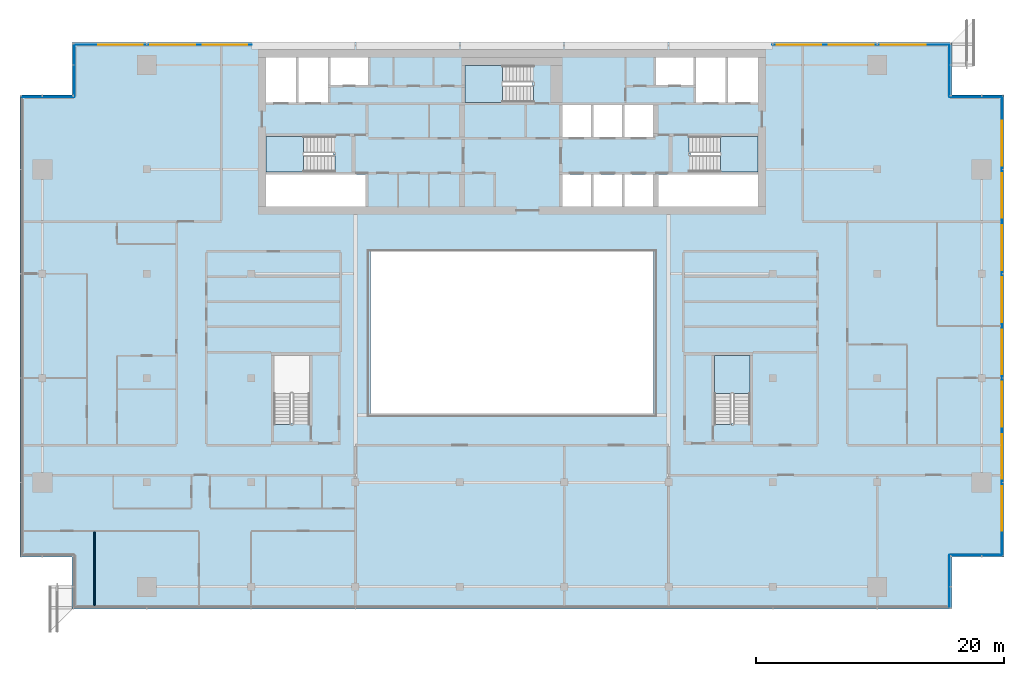
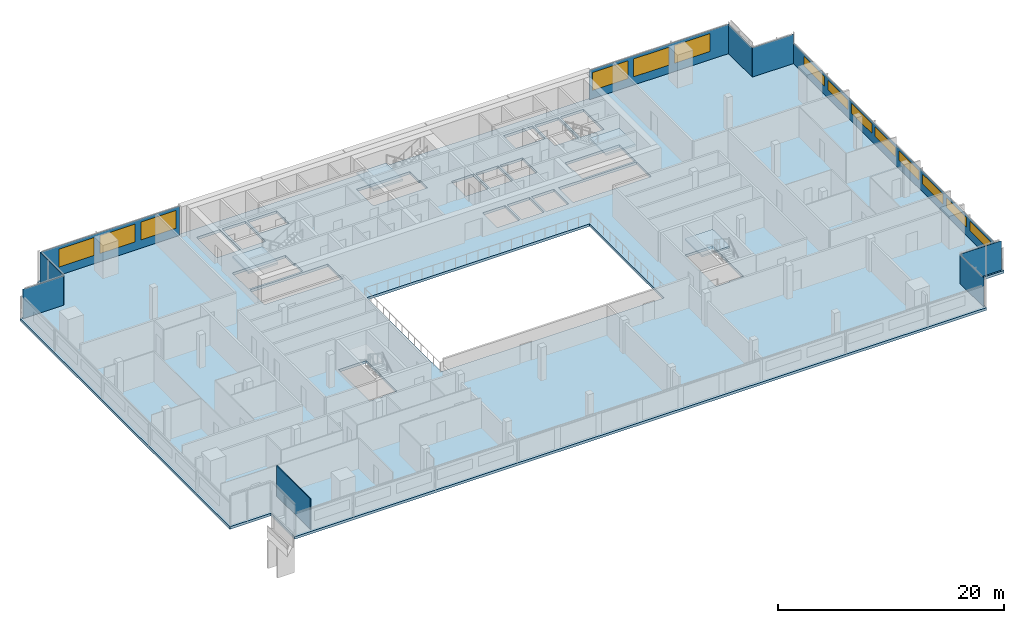
# One storey, part 16 of 25: 14 windows, 9 plates, 5 slabs, 1 wall, 14 openings, 12 elements without a shape of their own.
"""IFC4 building model written with IfcOpenShell, lengths in metres."""

from ifc_helpers import new_model, si_unit, direction, frame, frame_2d, origin, place, context, subcontext, project, spatial, polyline, rectangle, outline, extrude, material, layer, layer_set, type_object, element, fill, aggregate, save


model = new_model("IFC4")

# Units and contexts
model_context = context("Model", 3, precision=1e-05, world=origin(), true_north=direction((0.0, 1.0)))
body_context = subcontext(model_context, "Body", "Model", "MODEL_VIEW")
ifc_project = project(units=[si_unit("LENGTHUNIT", "METRE"), si_unit("AREAUNIT", "SQUARE_METRE"), si_unit("VOLUMEUNIT", "CUBIC_METRE"), si_unit("PLANEANGLEUNIT", "RADIAN"), si_unit("MASSUNIT", "GRAM", prefix="KILO")], contexts=[model_context])

# Site, building, storey
site_placement = place(None, origin())
site = spatial("IfcSite", under=ifc_project, at=site_placement, CompositionType="ELEMENT")
building_placement = place(site_placement, origin())
building = spatial("IfcBuilding", under=site, at=building_placement, Name="Saffron Gate Tower", CompositionType="ELEMENT")
storey_placement = place(building_placement, frame((0.0, 0.0, 248.699951171875)))
storey = spatial("IfcBuildingStorey", under=building, at=storey_placement, Name="L61", CompositionType="ELEMENT", Elevation=248.699951171875)

# Curtain wall, plate, openings, windows
ifc_material_1 = material(Name="Aluminium, bronze anodised", Category="aluminium")
curtain_wall_type_1 = type_object("IfcCurtainWallType", Name="CWS2 curtain wall side facades", PredefinedType="NOTDEFINED", material=ifc_material_1)
curtain_wall_1_placement = place(storey_placement, origin())
curtain_wall_1 = element("IfcCurtainWall", 1, at=curtain_wall_1_placement, inside=storey, type_object=curtain_wall_type_1, Name="CWS2 run 4", PredefinedType="NOTDEFINED")
ifc_material_2 = material(Name="Fritted bronze-tinted laminated glass", Category="glass")
ifc_layer_1 = layer(ifc_material_2, 0.028076171875)
ifc_layer_set_1 = layer_set([ifc_layer_1], Name="CWS2 fixed glass")
plate_type_1 = type_object("IfcPlateType", Name="CWS2 fixed glass", PredefinedType="CURTAIN_PANEL", material=ifc_layer_set_1)
plate_1_placement = place(storey_placement, frame((127.02587890625, 34.387939453125, 0.0), z_axis=(0.0, 0.0, 1.0), x_axis=(0.0, 1.0, 0.0)))
plate_1 = element("IfcPlate", 2, at=plate_1_placement, type_object=plate_type_1, Name="CWS2 glass panel", PredefinedType="CURTAIN_PANEL", context=body_context, shape_type="SweptSolid", body=[
    extrude(rectangle(XDim=36.823974609375, YDim=0.028076171875, at=frame_2d((18.412109375, 0.0))), origin(), (0.0, 0.0, 1.0), 2.2900390625),
])
opening_1_placement = place(plate_1_placement, frame((1.912109375, 0.0, 0.89990234375)))
opening_1 = element("IfcOpeningElement", 3, at=opening_1_placement, cuts=plate_1, Name="Opening W11", PredefinedType="OPENING", context=body_context, shape_type="SweptSolid", body=[
    extrude(rectangle(XDim=3.60009765625, YDim=1.0400390625, at=frame_2d((1.800048828125, 0.52001953125))), frame((0.0, 0.02392578125, 0.0), z_axis=(0.0, -1.0, 0.0), x_axis=(1.0, 0.0, 0.0)), (0.0, 0.0, 1.0), 0.048095703125),
])
opening_2_placement = place(plate_1_placement, frame((6.112060546875, 0.0, 0.89990234375)))
opening_2 = element("IfcOpeningElement", 4, at=opening_2_placement, cuts=plate_1, Name="Opening W11", PredefinedType="OPENING", context=body_context, shape_type="SweptSolid", body=[
    extrude(rectangle(XDim=3.60009765625, YDim=1.0400390625, at=frame_2d((1.800048828125, 0.52001953125))), frame((0.0, 0.02392578125, 0.0), z_axis=(0.0, -1.0, 0.0), x_axis=(1.0, 0.0, 0.0)), (0.0, 0.0, 1.0), 0.048095703125),
])
opening_3_placement = place(plate_1_placement, frame((10.31201171875, 0.0, 0.89990234375)))
opening_3 = element("IfcOpeningElement", 5, at=opening_3_placement, cuts=plate_1, Name="Opening W11", PredefinedType="OPENING", context=body_context, shape_type="SweptSolid", body=[
    extrude(rectangle(XDim=3.60009765625, YDim=1.0400390625, at=frame_2d((1.800048828125, 0.52001953125))), frame((0.0, 0.02392578125, 0.0), z_axis=(0.0, -1.0, 0.0), x_axis=(1.0, 0.0, 0.0)), (0.0, 0.0, 1.0), 0.048095703125),
])
opening_4_placement = place(plate_1_placement, frame((14.511962890625, 0.0, 0.89990234375)))
opening_4 = element("IfcOpeningElement", 6, at=opening_4_placement, cuts=plate_1, Name="Opening W11", PredefinedType="OPENING", context=body_context, shape_type="SweptSolid", body=[
    extrude(rectangle(XDim=3.60009765625, YDim=1.0400390625, at=frame_2d((1.800048828125, 0.52001953125))), frame((0.0, 0.02392578125, 0.0), z_axis=(0.0, -1.0, 0.0), x_axis=(1.0, 0.0, 0.0)), (0.0, 0.0, 1.0), 0.048095703125),
])
opening_5_placement = place(plate_1_placement, frame((18.7119140625, 0.0, 0.89990234375)))
opening_5 = element("IfcOpeningElement", 7, at=opening_5_placement, cuts=plate_1, Name="Opening W11", PredefinedType="OPENING", context=body_context, shape_type="SweptSolid", body=[
    extrude(rectangle(XDim=3.60009765625, YDim=1.0400390625, at=frame_2d((1.800048828125, 0.52001953125))), frame((0.0, 0.02392578125, 0.0), z_axis=(0.0, -1.0, 0.0), x_axis=(1.0, 0.0, 0.0)), (0.0, 0.0, 1.0), 0.048095703125),
])
opening_6_placement = place(plate_1_placement, frame((22.912109375, 0.0, 0.89990234375)))
opening_6 = element("IfcOpeningElement", 8, at=opening_6_placement, cuts=plate_1, Name="Opening W11", PredefinedType="OPENING", context=body_context, shape_type="SweptSolid", body=[
    extrude(rectangle(XDim=3.60009765625, YDim=1.0400390625, at=frame_2d((1.800048828125, 0.52001953125))), frame((0.0, 0.02392578125, 0.0), z_axis=(0.0, -1.0, 0.0), x_axis=(1.0, 0.0, 0.0)), (0.0, 0.0, 1.0), 0.048095703125),
])
opening_7_placement = place(plate_1_placement, frame((27.112060546875, 0.0, 0.89990234375)))
opening_7 = element("IfcOpeningElement", 9, at=opening_7_placement, cuts=plate_1, Name="Opening W11", PredefinedType="OPENING", context=body_context, shape_type="SweptSolid", body=[
    extrude(rectangle(XDim=3.60009765625, YDim=1.0400390625, at=frame_2d((1.800048828125, 0.52001953125))), frame((0.0, 0.02392578125, 0.0), z_axis=(0.0, -1.0, 0.0), x_axis=(1.0, 0.0, 0.0)), (0.0, 0.0, 1.0), 0.048095703125),
])
opening_8_placement = place(plate_1_placement, frame((31.31201171875, 0.0, 0.89990234375)))
opening_8 = element("IfcOpeningElement", 10, at=opening_8_placement, cuts=plate_1, Name="Opening W11", PredefinedType="OPENING", context=body_context, shape_type="SweptSolid", body=[
    extrude(rectangle(XDim=3.60009765625, YDim=1.0400390625, at=frame_2d((1.800048828125, 0.52001953125))), frame((0.0, 0.02392578125, 0.0), z_axis=(0.0, -1.0, 0.0), x_axis=(1.0, 0.0, 0.0)), (0.0, 0.0, 1.0), 0.048095703125),
])
ifc_material_3 = material(Name="Fritted bronze-tinted laminated glass in bronze frame", Category="glass")
ifc_layer_2 = layer(ifc_material_3, 0.06005859375)
ifc_layer_set_2 = layer_set([ifc_layer_2], Name="W11 operable panel 3600x1040")
window_type_1 = type_object("IfcWindowType", Name="W11 operable panel 3600x1040", PartitioningType="DOUBLE_PANEL_HORIZONTAL", PredefinedType="WINDOW", material=ifc_layer_set_2)
window_1_placement = place(opening_1_placement, origin())
window_1 = element("IfcWindow", 11, at=window_1_placement, type_object=window_type_1, Name="W11 operable panel", OverallHeight=1.0400390625, OverallWidth=3.60009765625, PartitioningType="SINGLE_PANEL", PredefinedType="WINDOW", context=body_context, shape_type="SweptSolid", body=[
    extrude(rectangle(XDim=3.60009765625, YDim=1.0400390625, at=frame_2d((1.800048828125, 0.52001953125))), frame((0.0, 0.013671875, 0.0), z_axis=(0.0, -1.0, 0.0), x_axis=(1.0, 0.0, 0.0)), (0.0, 0.0, 1.0), 0.027587890625),
])
fill(opening_1, window_1)
window_2_placement = place(opening_2_placement, origin())
window_2 = element("IfcWindow", 12, at=window_2_placement, type_object=window_type_1, Name="W11 operable panel", OverallHeight=1.0400390625, OverallWidth=3.60009765625, PartitioningType="SINGLE_PANEL", PredefinedType="WINDOW", context=body_context, shape_type="SweptSolid", body=[
    extrude(rectangle(XDim=3.60009765625, YDim=1.0400390625, at=frame_2d((1.800048828125, 0.52001953125))), frame((0.0, 0.013671875, 0.0), z_axis=(0.0, -1.0, 0.0), x_axis=(1.0, 0.0, 0.0)), (0.0, 0.0, 1.0), 0.027587890625),
])
fill(opening_2, window_2)
window_3_placement = place(opening_3_placement, origin())
window_3 = element("IfcWindow", 13, at=window_3_placement, type_object=window_type_1, Name="W11 operable panel", OverallHeight=1.0400390625, OverallWidth=3.60009765625, PartitioningType="SINGLE_PANEL", PredefinedType="WINDOW", context=body_context, shape_type="SweptSolid", body=[
    extrude(rectangle(XDim=3.60009765625, YDim=1.0400390625, at=frame_2d((1.800048828125, 0.52001953125))), frame((0.0, 0.013671875, 0.0), z_axis=(0.0, -1.0, 0.0), x_axis=(1.0, 0.0, 0.0)), (0.0, 0.0, 1.0), 0.027587890625),
])
fill(opening_3, window_3)
window_4_placement = place(opening_4_placement, origin())
window_4 = element("IfcWindow", 14, at=window_4_placement, type_object=window_type_1, Name="W11 operable panel", OverallHeight=1.0400390625, OverallWidth=3.60009765625, PartitioningType="SINGLE_PANEL", PredefinedType="WINDOW", context=body_context, shape_type="SweptSolid", body=[
    extrude(rectangle(XDim=3.60009765625, YDim=1.0400390625, at=frame_2d((1.800048828125, 0.52001953125))), frame((0.0, 0.013671875, 0.0), z_axis=(0.0, -1.0, 0.0), x_axis=(1.0, 0.0, 0.0)), (0.0, 0.0, 1.0), 0.027587890625),
])
fill(opening_4, window_4)
window_5_placement = place(opening_5_placement, origin())
window_5 = element("IfcWindow", 15, at=window_5_placement, type_object=window_type_1, Name="W11 operable panel", OverallHeight=1.0400390625, OverallWidth=3.60009765625, PartitioningType="SINGLE_PANEL", PredefinedType="WINDOW", context=body_context, shape_type="SweptSolid", body=[
    extrude(rectangle(XDim=3.60009765625, YDim=1.0400390625, at=frame_2d((1.800048828125, 0.52001953125))), frame((0.0, 0.013671875, 0.0), z_axis=(0.0, -1.0, 0.0), x_axis=(1.0, 0.0, 0.0)), (0.0, 0.0, 1.0), 0.027587890625),
])
fill(opening_5, window_5)
window_6_placement = place(opening_6_placement, origin())
window_6 = element("IfcWindow", 16, at=window_6_placement, type_object=window_type_1, Name="W11 operable panel", OverallHeight=1.0400390625, OverallWidth=3.60009765625, PartitioningType="SINGLE_PANEL", PredefinedType="WINDOW", context=body_context, shape_type="SweptSolid", body=[
    extrude(rectangle(XDim=3.60009765625, YDim=1.0400390625, at=frame_2d((1.800048828125, 0.52001953125))), frame((0.0, 0.013671875, 0.0), z_axis=(0.0, -1.0, 0.0), x_axis=(1.0, 0.0, 0.0)), (0.0, 0.0, 1.0), 0.027587890625),
])
fill(opening_6, window_6)
window_7_placement = place(opening_7_placement, origin())
window_7 = element("IfcWindow", 17, at=window_7_placement, type_object=window_type_1, Name="W11 operable panel", OverallHeight=1.0400390625, OverallWidth=3.60009765625, PartitioningType="SINGLE_PANEL", PredefinedType="WINDOW", context=body_context, shape_type="SweptSolid", body=[
    extrude(rectangle(XDim=3.60009765625, YDim=1.0400390625, at=frame_2d((1.800048828125, 0.52001953125))), frame((0.0, 0.013671875, 0.0), z_axis=(0.0, -1.0, 0.0), x_axis=(1.0, 0.0, 0.0)), (0.0, 0.0, 1.0), 0.027587890625),
])
fill(opening_7, window_7)
window_8_placement = place(opening_8_placement, origin())
window_8 = element("IfcWindow", 18, at=window_8_placement, type_object=window_type_1, Name="W11 operable panel", OverallHeight=1.0400390625, OverallWidth=3.60009765625, PartitioningType="SINGLE_PANEL", PredefinedType="WINDOW", context=body_context, shape_type="SweptSolid", body=[
    extrude(rectangle(XDim=3.60009765625, YDim=1.0400390625, at=frame_2d((1.800048828125, 0.52001953125))), frame((0.0, 0.013671875, 0.0), z_axis=(0.0, -1.0, 0.0), x_axis=(1.0, 0.0, 0.0)), (0.0, 0.0, 1.0), 0.027587890625),
])
fill(opening_8, window_8)
aggregate(curtain_wall_1, [plate_1, window_1, window_2, window_3, window_4, window_5, window_6, window_7, window_8])

# Curtain wall, plates, openings, windows
curtain_wall_type_2 = type_object("IfcCurtainWallType", Name="CWS3 curtain wall rear facade", PredefinedType="NOTDEFINED", material=ifc_material_1)
curtain_wall_2_placement = place(storey_placement, origin())
curtain_wall_2 = element("IfcCurtainWall", 19, at=curtain_wall_2_placement, inside=storey, type_object=curtain_wall_type_2, Name="CWS3 run 7", PredefinedType="NOTDEFINED")
ifc_material_4 = material(Name="Fritted grey-tinted laminated glass", Category="glass")
ifc_layer_3 = layer(ifc_material_4, 0.028076171875)
ifc_layer_set_3 = layer_set([ifc_layer_3], Name="CWS3 fixed glass")
plate_type_2 = type_object("IfcPlateType", Name="CWS3 fixed glass", PredefinedType="CURTAIN_PANEL", material=ifc_layer_set_3)
plate_2_placement = place(storey_placement, frame((122.81201171875, 75.426025390625, 0.0), z_axis=(0.0, 0.0, 1.0), x_axis=(-1.0, 0.0, 0.0)))
plate_2 = element("IfcPlate", 20, at=plate_2_placement, type_object=plate_type_2, Name="CWS3 glass panel", PredefinedType="CURTAIN_PANEL", context=body_context, shape_type="SweptSolid", body=[
    extrude(rectangle(XDim=14.2470703125, YDim=0.028076171875, at=frame_2d((7.12353515625, 0.0))), origin(), (0.0, 0.0, 1.0), 3.179931640625),
])
opening_9_placement = place(plate_2_placement, frame((1.912109375, 0.0, 0.89990234375)))
opening_9 = element("IfcOpeningElement", 21, at=opening_9_placement, cuts=plate_2, Name="Opening W2", PredefinedType="OPENING", context=body_context, shape_type="SweptSolid", body=[
    extrude(rectangle(XDim=3.60009765625, YDim=1.929931640625, at=frame_2d((1.800048828125, 0.96484375))), frame((0.0, 0.02392578125, 0.0), z_axis=(0.0, -1.0, 0.0), x_axis=(1.0, 0.0, 0.0)), (0.0, 0.0, 1.0), 0.048095703125),
])
opening_10_placement = place(plate_2_placement, frame((6.112060546875, 0.0, 0.89990234375)))
opening_10 = element("IfcOpeningElement", 22, at=opening_10_placement, cuts=plate_2, Name="Opening W2", PredefinedType="OPENING", context=body_context, shape_type="SweptSolid", body=[
    extrude(rectangle(XDim=3.60009765625, YDim=1.929931640625, at=frame_2d((1.800048828125, 0.96484375))), frame((0.0, 0.02392578125, 0.0), z_axis=(0.0, -1.0, 0.0), x_axis=(1.0, 0.0, 0.0)), (0.0, 0.0, 1.0), 0.048095703125),
])
opening_11_placement = place(plate_2_placement, frame((10.31201171875, 0.0, 0.89990234375)))
opening_11 = element("IfcOpeningElement", 23, at=opening_11_placement, cuts=plate_2, Name="Opening W2", PredefinedType="OPENING", context=body_context, shape_type="SweptSolid", body=[
    extrude(rectangle(XDim=3.60009765625, YDim=1.929931640625, at=frame_2d((1.800048828125, 0.96484375))), frame((0.0, 0.02392578125, 0.0), z_axis=(0.0, -1.0, 0.0), x_axis=(1.0, 0.0, 0.0)), (0.0, 0.0, 1.0), 0.048095703125),
])
ifc_layer_4 = layer(ifc_material_3, 0.06005859375)
ifc_layer_set_4 = layer_set([ifc_layer_4], Name="W2 operable panel 3600x1930")
window_type_2 = type_object("IfcWindowType", Name="W2 operable panel 3600x1930", PartitioningType="DOUBLE_PANEL_HORIZONTAL", PredefinedType="WINDOW", material=ifc_layer_set_4)
window_9_placement = place(opening_9_placement, origin())
window_9 = element("IfcWindow", 24, at=window_9_placement, type_object=window_type_2, Name="W2 operable panel", OverallHeight=1.929931640625, OverallWidth=3.60009765625, PartitioningType="SINGLE_PANEL", PredefinedType="WINDOW", context=body_context, shape_type="SweptSolid", body=[
    extrude(rectangle(XDim=3.60009765625, YDim=1.929931640625, at=frame_2d((1.800048828125, 0.96484375))), frame((0.0, 0.013671875, 0.0), z_axis=(0.0, -1.0, 0.0), x_axis=(1.0, 0.0, 0.0)), (0.0, 0.0, 1.0), 0.027587890625),
])
fill(opening_9, window_9)
window_10_placement = place(opening_10_placement, origin())
window_10 = element("IfcWindow", 25, at=window_10_placement, type_object=window_type_2, Name="W2 operable panel", OverallHeight=1.929931640625, OverallWidth=3.60009765625, PartitioningType="SINGLE_PANEL", PredefinedType="WINDOW", context=body_context, shape_type="SweptSolid", body=[
    extrude(rectangle(XDim=3.60009765625, YDim=1.929931640625, at=frame_2d((1.800048828125, 0.96484375))), frame((0.0, 0.013671875, 0.0), z_axis=(0.0, -1.0, 0.0), x_axis=(1.0, 0.0, 0.0)), (0.0, 0.0, 1.0), 0.027587890625),
])
fill(opening_10, window_10)
window_11_placement = place(opening_11_placement, origin())
window_11 = element("IfcWindow", 26, at=window_11_placement, type_object=window_type_2, Name="W2 operable panel", OverallHeight=1.929931640625, OverallWidth=3.60009765625, PartitioningType="SINGLE_PANEL", PredefinedType="WINDOW", context=body_context, shape_type="SweptSolid", body=[
    extrude(rectangle(XDim=3.60009765625, YDim=1.929931640625, at=frame_2d((1.800048828125, 0.96484375))), frame((0.0, 0.013671875, 0.0), z_axis=(0.0, -1.0, 0.0), x_axis=(1.0, 0.0, 0.0)), (0.0, 0.0, 1.0), 0.027587890625),
])
fill(opening_11, window_11)
plate_3_placement = place(storey_placement, frame((66.635009765625, 75.426025390625, 0.0), z_axis=(0.0, 0.0, 1.0), x_axis=(-1.0, 0.0, 0.0)))
plate_3 = element("IfcPlate", 27, at=plate_3_placement, type_object=plate_type_2, Name="CWS3 glass panel", PredefinedType="CURTAIN_PANEL", context=body_context, shape_type="SweptSolid", body=[
    extrude(rectangle(XDim=14.2470703125, YDim=0.028076171875, at=frame_2d((7.12353515625, 0.0))), origin(), (0.0, 0.0, 1.0), 3.179931640625),
])
opening_12_placement = place(plate_3_placement, frame((0.3349609375, 0.0, 0.89990234375)))
opening_12 = element("IfcOpeningElement", 28, at=opening_12_placement, cuts=plate_3, Name="Opening W2", PredefinedType="OPENING", context=body_context, shape_type="SweptSolid", body=[
    extrude(rectangle(XDim=3.60009765625, YDim=1.929931640625, at=frame_2d((1.800048828125, 0.96484375))), frame((0.0, 0.02392578125, 0.0), z_axis=(0.0, -1.0, 0.0), x_axis=(1.0, 0.0, 0.0)), (0.0, 0.0, 1.0), 0.048095703125),
])
opening_13_placement = place(plate_3_placement, frame((4.534912109375, 0.0, 0.89990234375)))
opening_13 = element("IfcOpeningElement", 29, at=opening_13_placement, cuts=plate_3, Name="Opening W2", PredefinedType="OPENING", context=body_context, shape_type="SweptSolid", body=[
    extrude(rectangle(XDim=3.60009765625, YDim=1.929931640625, at=frame_2d((1.800048828125, 0.96484375))), frame((0.0, 0.02392578125, 0.0), z_axis=(0.0, -1.0, 0.0), x_axis=(1.0, 0.0, 0.0)), (0.0, 0.0, 1.0), 0.048095703125),
])
opening_14_placement = place(plate_3_placement, frame((8.735107421875, 0.0, 0.89990234375)))
opening_14 = element("IfcOpeningElement", 30, at=opening_14_placement, cuts=plate_3, Name="Opening W2", PredefinedType="OPENING", context=body_context, shape_type="SweptSolid", body=[
    extrude(rectangle(XDim=3.60009765625, YDim=1.929931640625, at=frame_2d((1.800048828125, 0.96484375))), frame((0.0, 0.02392578125, 0.0), z_axis=(0.0, -1.0, 0.0), x_axis=(1.0, 0.0, 0.0)), (0.0, 0.0, 1.0), 0.048095703125),
])
window_12_placement = place(opening_12_placement, origin())
window_12 = element("IfcWindow", 31, at=window_12_placement, type_object=window_type_2, Name="W2 operable panel", OverallHeight=1.929931640625, OverallWidth=3.60009765625, PartitioningType="SINGLE_PANEL", PredefinedType="WINDOW", context=body_context, shape_type="SweptSolid", body=[
    extrude(rectangle(XDim=3.60009765625, YDim=1.929931640625, at=frame_2d((1.800048828125, 0.96484375))), frame((0.0, 0.013671875, 0.0), z_axis=(0.0, -1.0, 0.0), x_axis=(1.0, 0.0, 0.0)), (0.0, 0.0, 1.0), 0.027587890625),
])
fill(opening_12, window_12)
window_13_placement = place(opening_13_placement, origin())
window_13 = element("IfcWindow", 32, at=window_13_placement, type_object=window_type_2, Name="W2 operable panel", OverallHeight=1.929931640625, OverallWidth=3.60009765625, PartitioningType="SINGLE_PANEL", PredefinedType="WINDOW", context=body_context, shape_type="SweptSolid", body=[
    extrude(rectangle(XDim=3.60009765625, YDim=1.929931640625, at=frame_2d((1.800048828125, 0.96484375))), frame((0.0, 0.013671875, 0.0), z_axis=(0.0, -1.0, 0.0), x_axis=(1.0, 0.0, 0.0)), (0.0, 0.0, 1.0), 0.027587890625),
])
fill(opening_13, window_13)
window_14_placement = place(opening_14_placement, origin())
window_14 = element("IfcWindow", 33, at=window_14_placement, type_object=window_type_2, Name="W2 operable panel", OverallHeight=1.929931640625, OverallWidth=3.60009765625, PartitioningType="SINGLE_PANEL", PredefinedType="WINDOW", context=body_context, shape_type="SweptSolid", body=[
    extrude(rectangle(XDim=3.60009765625, YDim=1.929931640625, at=frame_2d((1.800048828125, 0.96484375))), frame((0.0, 0.013671875, 0.0), z_axis=(0.0, -1.0, 0.0), x_axis=(1.0, 0.0, 0.0)), (0.0, 0.0, 1.0), 0.027587890625),
])
fill(opening_14, window_14)
aggregate(curtain_wall_2, [plate_2, plate_3, window_9, window_10, window_11, window_12, window_13, window_14])

# Curtain wall, plate
curtain_wall_type_3 = type_object("IfcCurtainWallType", Name="CWS4 curtain wall corner returns", PredefinedType="NOTDEFINED", material=ifc_material_1)
curtain_wall_3_placement = place(storey_placement, origin())
curtain_wall_3 = element("IfcCurtainWall", 34, at=curtain_wall_3_placement, inside=storey, type_object=curtain_wall_type_3, Name="CWS4 run 2", PredefinedType="NOTDEFINED")
ifc_layer_5 = layer(ifc_material_2, 0.028076171875)
ifc_layer_set_5 = layer_set([ifc_layer_5], Name="CWS4 fixed glass")
plate_type_3 = type_object("IfcPlateType", Name="CWS4 fixed glass", PredefinedType="CURTAIN_PANEL", material=ifc_layer_set_5)
plate_4_placement = place(storey_placement, frame((122.825927734375, 30.18798828125, 0.0), z_axis=(0.0, 0.0, 1.0), x_axis=(0.0, 1.0, 0.0)))
plate_4 = element("IfcPlate", 35, at=plate_4_placement, type_object=plate_type_3, Name="CWS4 glass panel", PredefinedType="CURTAIN_PANEL", context=body_context, shape_type="SweptSolid", body=[
    extrude(rectangle(XDim=4.172119140625, YDim=0.028076171875, at=frame_2d((2.0859375, 0.0))), origin(), (0.0, 0.0, 1.0), 3.179931640625),
])
aggregate(curtain_wall_3, [plate_4])

curtain_wall_4_placement = place(storey_placement, origin())
curtain_wall_4 = element("IfcCurtainWall", 36, at=curtain_wall_4_placement, inside=storey, type_object=curtain_wall_type_3, Name="CWS4 run 3", PredefinedType="NOTDEFINED")
plate_5_placement = place(storey_placement, frame((122.840087890625, 34.3740234375, 0.0), z_axis=(0.0, 0.0, 1.0), x_axis=(1.0, 0.0, 0.0)))
plate_5 = element("IfcPlate", 37, at=plate_5_placement, type_object=plate_type_3, Name="CWS4 glass panel", PredefinedType="CURTAIN_PANEL", context=body_context, shape_type="SweptSolid", body=[
    extrude(rectangle(XDim=4.171875, YDim=0.028076171875, at=frame_2d((2.0859375, 0.0))), origin(), (0.0, 0.0, 1.0), 3.179931640625),
])
aggregate(curtain_wall_4, [plate_5])

curtain_wall_5_placement = place(storey_placement, origin())
curtain_wall_5 = element("IfcCurtainWall", 38, at=curtain_wall_5_placement, inside=storey, type_object=curtain_wall_type_3, Name="CWS4 run 5", PredefinedType="NOTDEFINED")
plate_6_placement = place(storey_placement, frame((127.011962890625, 71.22607421875, 0.0), z_axis=(0.0, 0.0, 1.0), x_axis=(-1.0, 0.0, 0.0)))
plate_6 = element("IfcPlate", 39, at=plate_6_placement, type_object=plate_type_3, Name="CWS4 glass panel", PredefinedType="CURTAIN_PANEL", context=body_context, shape_type="SweptSolid", body=[
    extrude(rectangle(XDim=4.171875, YDim=0.028076171875, at=frame_2d((2.0859375, 0.0))), origin(), (0.0, 0.0, 1.0), 3.179931640625),
])
aggregate(curtain_wall_5, [plate_6])

curtain_wall_6_placement = place(storey_placement, origin())
curtain_wall_6 = element("IfcCurtainWall", 40, at=curtain_wall_6_placement, inside=storey, type_object=curtain_wall_type_3, Name="CWS4 run 6", PredefinedType="NOTDEFINED")
plate_7_placement = place(storey_placement, frame((122.825927734375, 71.239990234375, 0.0), z_axis=(0.0, 0.0, 1.0), x_axis=(0.0, 1.0, 0.0)))
plate_7 = element("IfcPlate", 41, at=plate_7_placement, type_object=plate_type_3, Name="CWS4 glass panel", PredefinedType="CURTAIN_PANEL", context=body_context, shape_type="SweptSolid", body=[
    extrude(rectangle(XDim=4.172119140625, YDim=0.028076171875, at=frame_2d((2.0859375, 0.0))), origin(), (0.0, 0.0, 1.0), 3.179931640625),
])
aggregate(curtain_wall_6, [plate_7])

curtain_wall_7_placement = place(storey_placement, origin())
curtain_wall_7 = element("IfcCurtainWall", 42, at=curtain_wall_7_placement, inside=storey, type_object=curtain_wall_type_3, Name="CWS4 run 8", PredefinedType="NOTDEFINED")
plate_8_placement = place(storey_placement, frame((52.3740234375, 75.412109375, 0.0), z_axis=(0.0, 0.0, 1.0), x_axis=(0.0, -1.0, 0.0)))
plate_8 = element("IfcPlate", 43, at=plate_8_placement, type_object=plate_type_3, Name="CWS4 glass panel", PredefinedType="CURTAIN_PANEL", context=body_context, shape_type="SweptSolid", body=[
    extrude(rectangle(XDim=4.172119140625, YDim=0.028076171875, at=frame_2d((2.0859375, 0.0))), origin(), (0.0, 0.0, 1.0), 3.179931640625),
])
aggregate(curtain_wall_7, [plate_8])

curtain_wall_8_placement = place(storey_placement, origin())
curtain_wall_8 = element("IfcCurtainWall", 44, at=curtain_wall_8_placement, inside=storey, type_object=curtain_wall_type_3, Name="CWS4 run 9", PredefinedType="NOTDEFINED")
plate_9_placement = place(storey_placement, frame((52.360107421875, 71.22607421875, 0.0), z_axis=(0.0, 0.0, 1.0), x_axis=(-1.0, 0.0, 0.0)))
plate_9 = element("IfcPlate", 45, at=plate_9_placement, type_object=plate_type_3, Name="CWS4 glass panel", PredefinedType="CURTAIN_PANEL", context=body_context, shape_type="SweptSolid", body=[
    extrude(rectangle(XDim=4.172119140625, YDim=0.028076171875, at=frame_2d((2.0859375, 0.0))), origin(), (0.0, 0.0, 1.0), 3.179931640625),
])
aggregate(curtain_wall_8, [plate_9])

# Slab
ifc_material_5 = material(Name="Concrete C40", Category="concrete")
ifc_layer_6 = layer(ifc_material_5, 0.280029296875)
ifc_layer_set_6 = layer_set([ifc_layer_6], Name="S2 FLOOR SLAB 280 CONCRETE C40")
slab_type_1 = type_object("IfcSlabType", Name="S2 FLOOR SLAB 280 CONCRETE C40", PredefinedType="FLOOR", material=ifc_layer_set_6)
slab_1_placement = place(storey_placement, frame((0.0, 0.0, -0.280029296875)))
element("IfcSlab", 46, at=slab_1_placement, inside=storey, type_object=slab_type_1, Name="S2 FLOOR SLAB", PredefinedType="FLOOR", context=body_context, shape_type="SweptSolid", body=[
    extrude(outline(polyline([(48.0, 34.199951171875), (52.199951171875, 34.199951171875), (52.199951171875, 30.0), (123.0, 30.0), (123.0, 34.199951171875), (127.199951171875, 34.199951171875), (127.199951171875, 71.39990234375), (123.0, 71.39990234375), (123.0, 75.60009765625), (52.199951171875, 75.60009765625), (52.199951171875, 71.39990234375), (48.0, 71.39990234375), (48.0, 34.199951171875)]), holes=[polyline([(67.800048828125, 62.39990234375), (67.800048828125, 65.0), (75.800048828125, 65.0), (75.800048828125, 62.39990234375), (67.800048828125, 62.39990234375)]), polyline([(67.800048828125, 65.199951171875), (67.800048828125, 68.050048828125), (73.25, 68.050048828125), (73.25, 66.550048828125), (73.34912109375, 66.550048828125), (73.34912109375, 65.199951171875), (67.800048828125, 65.199951171875)]), polyline([(67.800048828125, 70.800048828125), (67.800048828125, 74.39990234375), (70.199951171875, 74.39990234375), (70.199951171875, 70.800048828125), (67.800048828125, 70.800048828125)]), polyline([(68.449951171875, 44.85107421875), (68.449951171875, 50.39990234375), (71.300048828125, 50.39990234375), (71.300048828125, 44.949951171875), (69.800048828125, 44.949951171875), (69.800048828125, 44.85107421875), (68.449951171875, 44.85107421875)]), polyline([(70.39990234375, 70.800048828125), (70.39990234375, 74.39990234375), (72.800048828125, 74.39990234375), (72.800048828125, 70.800048828125), (70.39990234375, 70.800048828125)]), polyline([(73.0, 72.199951171875), (73.0, 74.39990234375), (76.0, 74.39990234375), (76.0, 72.199951171875), (73.0, 72.199951171875)]), polyline([(76.199951171875, 45.60009765625), (76.199951171875, 58.800048828125), (99.0, 58.800048828125), (99.0, 45.60009765625), (76.199951171875, 45.60009765625)]), polyline([(83.800048828125, 70.800048828125), (83.800048828125, 73.75), (89.25, 73.75), (89.25, 72.14990234375), (89.34912109375, 72.14990234375), (89.34912109375, 70.800048828125), (83.800048828125, 70.800048828125)]), polyline([(91.64990234375, 62.39990234375), (91.64990234375, 65.0), (93.949951171875, 65.0), (93.949951171875, 62.39990234375), (91.64990234375, 62.39990234375)]), polyline([(91.64990234375, 68.0), (91.64990234375, 70.60009765625), (93.949951171875, 70.60009765625), (93.949951171875, 68.0), (91.64990234375, 68.0)]), polyline([(94.14990234375, 62.39990234375), (94.14990234375, 65.0), (96.449951171875, 65.0), (96.449951171875, 62.39990234375), (94.14990234375, 62.39990234375)]), polyline([(94.14990234375, 68.0), (94.14990234375, 70.60009765625), (96.449951171875, 70.60009765625), (96.449951171875, 68.0), (94.14990234375, 68.0)]), polyline([(96.64990234375, 62.39990234375), (96.64990234375, 65.0), (98.949951171875, 65.0), (98.949951171875, 62.39990234375), (96.64990234375, 62.39990234375)]), polyline([(96.64990234375, 68.0), (96.64990234375, 70.60009765625), (98.949951171875, 70.60009765625), (98.949951171875, 68.0), (96.64990234375, 68.0)]), polyline([(99.199951171875, 72.199951171875), (99.199951171875, 74.39990234375), (102.199951171875, 74.39990234375), (102.199951171875, 72.199951171875), (99.199951171875, 72.199951171875)]), polyline([(99.39990234375, 62.39990234375), (99.39990234375, 65.0), (107.39990234375, 65.0), (107.39990234375, 62.39990234375), (99.39990234375, 62.39990234375)]), polyline([(101.85107421875, 66.699951171875), (101.85107421875, 68.050048828125), (107.39990234375, 68.050048828125), (107.39990234375, 65.199951171875), (101.949951171875, 65.199951171875), (101.949951171875, 66.699951171875), (101.85107421875, 66.699951171875)]), polyline([(102.39990234375, 70.800048828125), (102.39990234375, 74.39990234375), (104.800048828125, 74.39990234375), (104.800048828125, 70.800048828125), (102.39990234375, 70.800048828125)]), polyline([(103.89990234375, 44.85107421875), (103.89990234375, 50.39990234375), (106.75, 50.39990234375), (106.75, 44.949951171875), (105.25, 44.949951171875), (105.25, 44.85107421875), (103.89990234375, 44.85107421875)]), polyline([(105.0, 70.800048828125), (105.0, 74.39990234375), (107.39990234375, 74.39990234375), (107.39990234375, 70.800048828125), (105.0, 70.800048828125)])]), origin(), (0.0, 0.0, 1.0), 0.280029296875),
])

# Stair, slab
stair_type = type_object("IfcStairType", Name="ST7 Stair 1350 wide, 20 risers of 180", PredefinedType="HALF_TURN_STAIR", material=ifc_material_5)
stair_1_placement = place(storey_placement, origin())
stair_1 = element("IfcStair", 47, at=stair_1_placement, inside=storey, type_object=stair_type, Name="L61 Exit stair A", PredefinedType="HALF_TURN_STAIR")
ifc_layer_7 = layer(ifc_material_5, 0.199951171875)
ifc_layer_set_7 = layer_set([ifc_layer_7], Name="SL1 Stair landing 200")
slab_type_2 = type_object("IfcSlabType", Name="SL1 Stair landing 200", PredefinedType="LANDING", material=ifc_layer_set_7)
slab_2_placement = place(storey_placement, frame((0.0, 0.0, 1.60009765625)))
slab_2 = element("IfcSlab", 48, at=slab_2_placement, type_object=slab_type_2, Name="ST-A landing 1", PredefinedType="LANDING", context=body_context, shape_type="SweptSolid", body=[
    extrude(outline(polyline([(70.830078125, 68.050048828125), (67.800048828125, 68.050048828125), (67.800048828125, 65.199951171875), (70.830078125, 65.199951171875), (70.830078125, 68.050048828125)])), origin(), (0.0, 0.0, 1.0), 0.199951171875),
])
aggregate(stair_1, [slab_2])

stair_2_placement = place(storey_placement, origin())
stair_2 = element("IfcStair", 49, at=stair_2_placement, inside=storey, type_object=stair_type, Name="L61 Exit stair B", PredefinedType="HALF_TURN_STAIR")
slab_3_placement = place(storey_placement, frame((0.0, 0.0, 1.60009765625)))
slab_3 = element("IfcSlab", 50, at=slab_3_placement, type_object=slab_type_2, Name="ST-B landing 1", PredefinedType="LANDING", context=body_context, shape_type="SweptSolid", body=[
    extrude(outline(polyline([(104.3701171875, 65.199951171875), (107.39990234375, 65.199951171875), (107.39990234375, 68.050048828125), (104.3701171875, 68.050048828125), (104.3701171875, 65.199951171875)])), origin(), (0.0, 0.0, 1.0), 0.199951171875),
])
aggregate(stair_2, [slab_3])

stair_3_placement = place(storey_placement, origin())
stair_3 = element("IfcStair", 51, at=stair_3_placement, inside=storey, type_object=stair_type, Name="L61 Exit stair C", PredefinedType="HALF_TURN_STAIR")
slab_4_placement = place(storey_placement, frame((0.0, 0.0, 1.60009765625)))
slab_4 = element("IfcSlab", 52, at=slab_4_placement, type_object=slab_type_2, Name="ST-C landing 1", PredefinedType="LANDING", context=body_context, shape_type="SweptSolid", body=[
    extrude(outline(polyline([(86.830078125, 73.75), (83.800048828125, 73.75), (83.800048828125, 70.800048828125), (86.830078125, 70.800048828125), (86.830078125, 73.75)])), origin(), (0.0, 0.0, 1.0), 0.199951171875),
])
aggregate(stair_3, [slab_4])

stair_4_placement = place(storey_placement, origin())
stair_4 = element("IfcStair", 53, at=stair_4_placement, inside=storey, type_object=stair_type, Name="L61 Exit stair E", PredefinedType="HALF_TURN_STAIR")
slab_5_placement = place(storey_placement, frame((0.0, 0.0, 1.60009765625)))
slab_5 = element("IfcSlab", 54, at=slab_5_placement, type_object=slab_type_2, Name="ST-E landing 1", PredefinedType="LANDING", context=body_context, shape_type="SweptSolid", body=[
    extrude(outline(polyline([(106.75, 47.3701171875), (106.75, 50.39990234375), (103.89990234375, 50.39990234375), (103.89990234375, 47.3701171875), (106.75, 47.3701171875)])), origin(), (0.0, 0.0, 1.0), 0.199951171875),
])
aggregate(stair_4, [slab_5])

# Wall
ifc_material_6 = material(Name="Plasterboard on steel studs", Category="steel")
ifc_layer_8 = layer(ifc_material_6, 0.10009765625)
ifc_layer_set_8 = layer_set([ifc_layer_8], Name="PW1 Partition 100")
wall_type = type_object("IfcWallType", Name="PW1 Partition 100", PredefinedType="PARTITIONING", material=ifc_layer_set_8)
wall_placement = place(storey_placement, frame((54.0, 36.25, 0.0), z_axis=(0.0, 0.0, 1.0), x_axis=(0.0, -1.0, 0.0)))
element("IfcWall", 55, at=wall_placement, inside=storey, type_object=wall_type, Name="Partition D5-43", PredefinedType="PARTITIONING", context=body_context, shape_type="SweptSolid", body=[
    extrude(rectangle(XDim=5.969970703125, YDim=0.10009765625, at=frame_2d((2.98486328125, 0.0))), origin(), (0.0, 0.0, 1.0), 3.300048828125),
])

save(model, "model.ifc")
